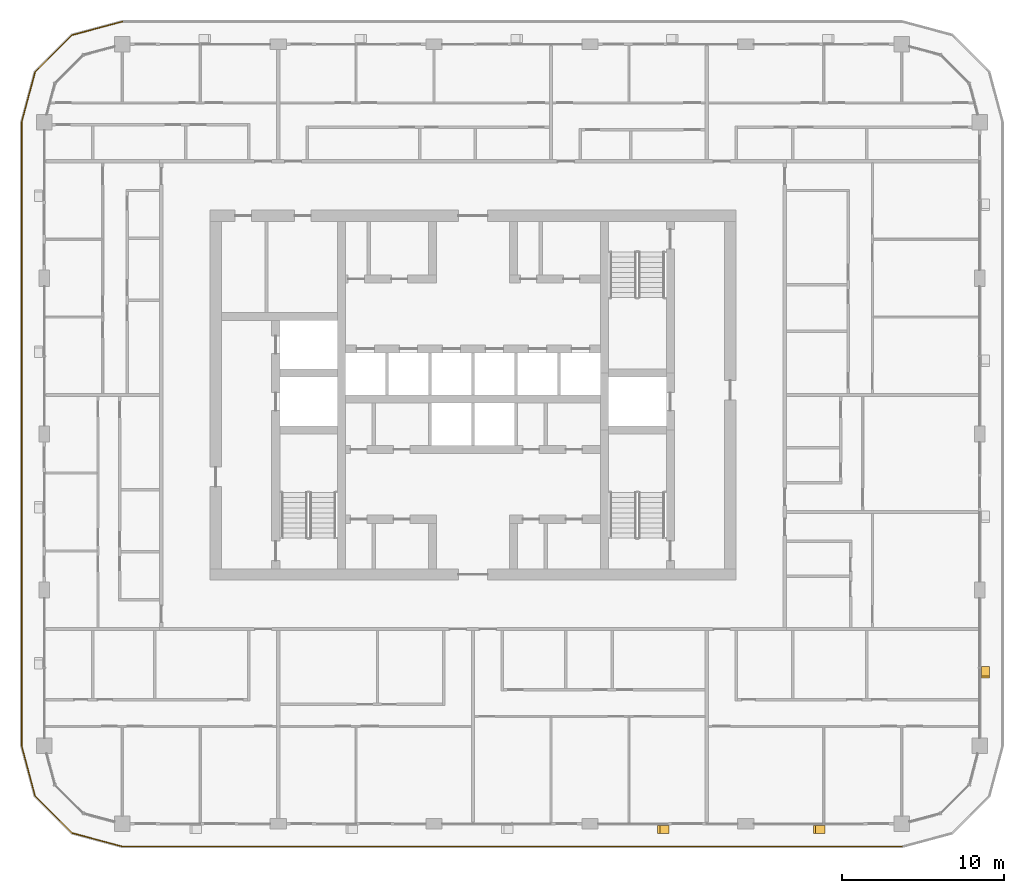
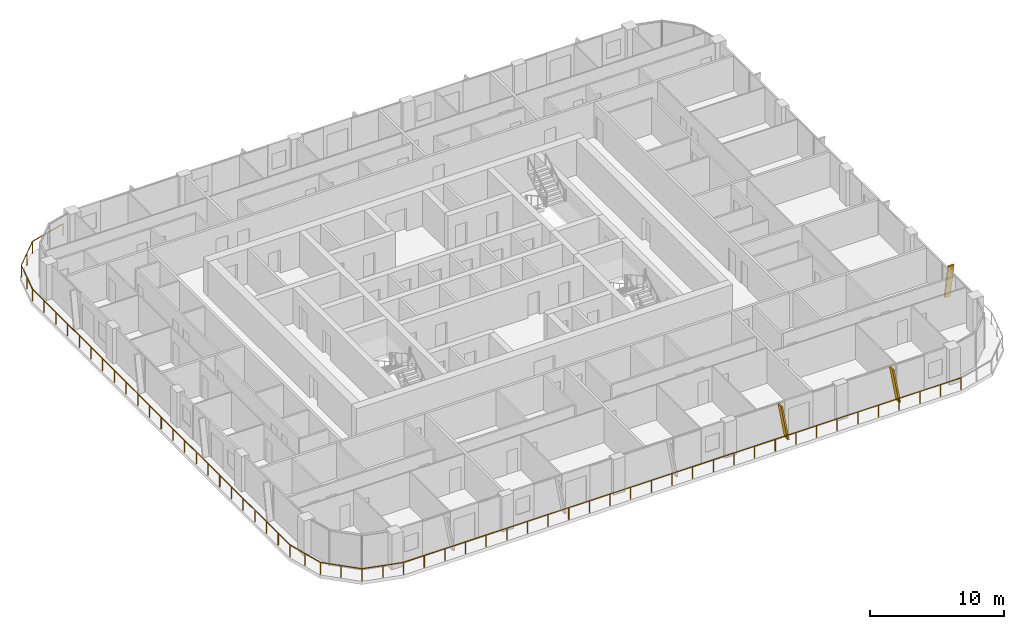
# One storey, part 19 of 22: 3 shading devices, 1 railing.
"""IFC4 building model written with IfcOpenShell, lengths in metres."""

import ifcopenshell
import ifcopenshell.guid

model = None  # the IFC model being written
_history = None  # IfcOwnerHistory: only IFC2X3 demands one
_inside = {}  # id of a spatial element -> (the spatial element, [elements in it])
_under = {}  # id of a project, library or spatial element -> (it, [spatial elements below it])
_declared = {}  # id of a project -> (the project, [libraries it declares])
_typed = {}  # id of a type object -> (the type object, [elements of that type])
_made_of = {}  # id of a material, layer set ... -> (it, [elements and type objects made of it])


def new_model(schema):
    """Start an empty IFC model of exactly this schema.

    Asked for "IFC4X3", IfcOpenShell would pick the latest addendum, in which some entities
    have other attributes; the version numbers below select the first issue.
    IFC2X3 requires an IfcOwnerHistory on every rooted entity: one is made here for all.
    """
    global model, _history
    if schema == "IFC4X3":
        model = ifcopenshell.file(schema_version=(4, 3, 0, 0))
    else:
        model = ifcopenshell.file(schema=schema)
    _inside.clear()
    _under.clear()
    _declared.clear()
    _typed.clear()
    _made_of.clear()
    _history = None
    if model.schema == "IFC2X3":
        org = make("IfcOrganization", Name="unknown")
        user = make(
            "IfcPersonAndOrganization",
            ThePerson=make("IfcPerson", FamilyName="unknown"),
            TheOrganization=org,
        )
        app = make(
            "IfcApplication",
            ApplicationDeveloper=org,
            Version="unknown",
            ApplicationFullName="unknown",
            ApplicationIdentifier="unknown",
        )
        _history = make(
            "IfcOwnerHistory",
            OwningUser=user,
            OwningApplication=app,
            ChangeAction="ADDED",
            CreationDate=0,
        )
    return model


def make(cls, **values):
    """One entity of the class cls with the attributes given. An attribute that is None is left unset."""
    return model.create_entity(
        cls, **{name: value for name, value in values.items() if value is not None}
    )


def rooted(cls, **values):
    """An entity with a GlobalId (a new one), such as an element, a storey or a relation."""
    return make(cls, GlobalId=ifcopenshell.guid.new(), OwnerHistory=_history, **values)


def si_unit(unit_type, name, prefix=None):
    """IfcSIUnit, for example si_unit("LENGTHUNIT", "METRE", prefix="MILLI")."""
    return make("IfcSIUnit", UnitType=unit_type, Prefix=prefix, Name=name)


def assignment(units):
    """IfcUnitAssignment: the units of a project."""
    return None if units is None else make("IfcUnitAssignment", Units=units)


def point(xyz):
    """IfcCartesianPoint."""
    return None if xyz is None else make("IfcCartesianPoint", Coordinates=xyz)


def direction(xyz):
    """IfcDirection."""
    return None if xyz is None else make("IfcDirection", DirectionRatios=xyz)


def frame(location, z_axis=None, x_axis=None):
    """IfcAxis2Placement3D, a coordinate frame: its origin and axes. An axis left out is left unset."""
    return make(
        "IfcAxis2Placement3D",
        Location=point(location),
        Axis=direction(z_axis),
        RefDirection=direction(x_axis),
    )


def frame_2d(location, x_axis=None):
    """IfcAxis2Placement2D, a coordinate frame in the plane: its origin and x axis."""
    return make(
        "IfcAxis2Placement2D", Location=point(location), RefDirection=direction(x_axis)
    )


def origin():
    """The frame at (0, 0, 0) with its axes left unset."""
    return frame((0.0, 0.0, 0.0))


def origin_2d():
    """The frame at (0, 0) in the plane with its x axis left unset."""
    return frame_2d((0.0, 0.0))


def place(relative_to, where):
    """IfcLocalPlacement: puts the frame where relative to a parent placement (None: the world)."""
    return make(
        "IfcLocalPlacement", PlacementRelTo=relative_to, RelativePlacement=where
    )


def context(
    kind, dimensions, precision=None, world=None, true_north=None, identifier=None
):
    """IfcGeometricRepresentationContext, for example the 3D "Model" context."""
    return make(
        "IfcGeometricRepresentationContext",
        ContextIdentifier=identifier,
        ContextType=kind,
        CoordinateSpaceDimension=dimensions,
        Precision=precision,
        WorldCoordinateSystem=world,
        TrueNorth=true_north,
    )


def subcontext(parent, identifier, kind, view, scale=None):
    """IfcGeometricRepresentationSubContext, for example "Body" below "Model"."""
    return make(
        "IfcGeometricRepresentationSubContext",
        ContextIdentifier=identifier,
        ContextType=kind,
        ParentContext=parent,
        TargetScale=scale,
        TargetView=view,
    )


def project(units=None, contexts=None):
    """IfcProject with its units and contexts."""
    return rooted(
        "IfcProject",
        Name="project",
        RepresentationContexts=contexts,
        UnitsInContext=assignment(units),
    )


def spatial(cls, under=None, at=None, **own):
    """A site, building, storey or space (cls), placed at a placement, below another one or the project."""
    s = rooted(cls, ObjectPlacement=at, **own)
    if under is not None:
        _under.setdefault(under.id(), (under, []))[1].append(s)
    return s


def polyline(points):
    """IfcPolyline through the points."""
    return make("IfcPolyline", Points=[point(p) for p in points])


def profile(cls, at=None, kind="AREA", **sizes):
    """A parametric profile (cls). Its sizes go by their IFC names, for example OverallWidth=200.0."""
    return make(cls, ProfileType=kind, Position=at, **sizes)


def circle(**sizes):
    """IfcCircleProfileDef."""
    return profile("IfcCircleProfileDef", **sizes)


def outline(outer, holes=None, kind="AREA"):
    """IfcArbitraryClosedProfileDef: a profile drawn as a closed curve; with holes, ...WithVoids."""
    if holes is None:
        return make("IfcArbitraryClosedProfileDef", ProfileType=kind, OuterCurve=outer)
    return make(
        "IfcArbitraryProfileDefWithVoids",
        ProfileType=kind,
        OuterCurve=outer,
        InnerCurves=holes,
    )


def extrude(swept, where, along, depth):
    """IfcExtrudedAreaSolid: the profile swept, set in the frame where, extruded along a direction by depth."""
    return make(
        "IfcExtrudedAreaSolid",
        SweptArea=swept,
        Position=where,
        ExtrudedDirection=direction(along),
        Depth=depth,
    )


def shape(context_of_items, identifier, shape_type, items):
    """IfcShapeRepresentation: the items that make up one representation, for example the "Body"."""
    return make(
        "IfcShapeRepresentation",
        ContextOfItems=context_of_items,
        RepresentationIdentifier=identifier,
        RepresentationType=shape_type,
        Items=items,
    )


def material(Name=None, Category=None):
    """IfcMaterial."""
    return make("IfcMaterial", Name=Name, Category=Category)


def made_of(thing, what):
    """Note that an element or type object is made of a material, layer set ...; save() writes the relation."""
    if what is not None:
        _made_of.setdefault(what.id(), (what, []))[1].append(thing)
    return thing


def type_object(cls, material=None, **own):
    """A type object (cls), such as IfcWallType, which elements share."""
    return made_of(rooted(cls, **own), material)


def element(
    cls,
    number,
    at=None,
    inside=None,
    cuts=None,
    type_object=None,
    material=None,
    context=None,
    identifier="Body",
    shape_type=None,
    held_by="IfcProductDefinitionShape",
    body=None,
    shapes=None,
    **own,
):
    """One element of the class cls, such as IfcWall. Its Tag is "e" and its number.

    at: its placement. inside: the storey or other place that contains it. cuts: it is an
    opening in that element (IfcRelVoidsElement). A single representation is given by context,
    identifier, shape_type and body (its items); several are given by shapes. held_by: the class
    of the entity that holds the representations. save() writes the other relations.
    """
    e = rooted(cls, Tag="e%d" % number, ObjectPlacement=at, **own)
    if body is not None:
        shapes = [shape(context, identifier, shape_type, body)]
    if shapes is not None:
        e.Representation = make(held_by, Representations=shapes)
    if inside is not None:
        _inside.setdefault(inside.id(), (inside, []))[1].append(e)
    if cuts is not None:
        rooted(
            "IfcRelVoidsElement", RelatingBuildingElement=cuts, RelatedOpeningElement=e
        )
    if type_object is not None:
        _typed.setdefault(type_object.id(), (type_object, []))[1].append(e)
    return made_of(e, material)


def aggregate(whole, parts):
    """IfcRelAggregates: a whole, such as a stair, and the parts it consists of."""
    return rooted("IfcRelAggregates", RelatingObject=whole, RelatedObjects=parts)


def save(model, path):
    """Write the relations noted so far, then the file.

    IfcRelAggregates (storeys below a building ...), IfcRelContainedInSpatialStructure (elements
    in a storey), IfcRelDefinesByType, IfcRelAssociatesMaterial and IfcRelDeclares: one each for
    every whole, place, type object, material and project.
    """
    for whole, parts in _under.values():
        aggregate(whole, parts)
    for where, things in _inside.values():
        rooted(
            "IfcRelContainedInSpatialStructure",
            RelatedElements=things,
            RelatingStructure=where,
        )
    for kind, things in _typed.values():
        rooted("IfcRelDefinesByType", RelatedObjects=things, RelatingType=kind)
    for what, things in _made_of.values():
        rooted("IfcRelAssociatesMaterial", RelatedObjects=things, RelatingMaterial=what)
    for by, libraries in _declared.values():
        rooted("IfcRelDeclares", RelatingContext=by, RelatedDefinitions=libraries)
    model.write(path)


model = new_model("IFC4")

# Units and contexts
model_context = context("Model", 3, precision=1e-05, world=origin(), true_north=direction((0.0, 1.0)))
body_context = subcontext(model_context, "Body", "Model", "MODEL_VIEW")
ifc_project = project(units=[si_unit("LENGTHUNIT", "METRE"), si_unit("AREAUNIT", "SQUARE_METRE"), si_unit("VOLUMEUNIT", "CUBIC_METRE"), si_unit("PLANEANGLEUNIT", "RADIAN"), si_unit("MASSUNIT", "GRAM", prefix="KILO")], contexts=[model_context])

# Site, building, storey
site_placement = place(None, origin())
site = spatial("IfcSite", under=ifc_project, at=site_placement, CompositionType="ELEMENT")
building_placement = place(site_placement, origin())
building = spatial("IfcBuilding", under=site, at=building_placement, Name="Madar Terraces", CompositionType="ELEMENT")
storey_placement = place(building_placement, frame((0.0, 0.0, 189.39990234375)))
storey = spatial("IfcBuildingStorey", under=building, at=storey_placement, Name="L49", CompositionType="ELEMENT", Elevation=189.39990234375)

# Railing
ifc_material_1 = material(Name="Glass, safety glazing, with stainless steel posts", Category="steel")
railing_type = type_object("IfcRailingType", Name="Balcony glass guard 1100", PredefinedType="GUARDRAIL", material=ifc_material_1)
railing_placement = place(storey_placement, frame((9.60009765625, 49.39990234375, 0.0)))
element("IfcRailing", 1, at=railing_placement, inside=storey, type_object=railing_type, Name="Balcony guard", PredefinedType="GUARDRAIL", context=body_context, shape_type="SweptSolid", body=[
    extrude(circle(Radius=0.02392578125, at=origin_2d()), frame((0.0, 0.0, 1.076171875), z_axis=(-0.9659337912, -0.258789317819, 0.0), x_axis=(0.258789317819, -0.9659337912, 0.0)), (0.0, 0.0, 1.0), 3.20947265625),
    extrude(circle(Radius=0.02392578125, at=origin_2d()), frame((-3.10009765625, -0.83056640625, 1.076171875), z_axis=(-0.707106781187, -0.707106781187, 0.0), x_axis=(0.707106781187, -0.707106781187, 0.0)), (0.0, 0.0, 1.0), 3.209228515625),
    extrude(circle(Radius=0.02392578125, at=origin_2d()), frame((-5.369384765625, -3.099853515625, 1.076171875), z_axis=(-0.258860290944, -0.965914773555, 0.0), x_axis=(0.965914773555, -0.258860290944, 0.0)), (0.0, 0.0, 1.0), 3.20947265625),
    extrude(circle(Radius=0.02392578125, at=origin_2d()), frame((-6.2001953125, -6.199951171875, 1.076171875), z_axis=(0.0, -1.0, 0.0), x_axis=(1.0, 0.0, 0.0)), (0.0, 0.0, 1.0), 38.39990234375),
    extrude(circle(Radius=0.02392578125, at=origin_2d()), frame((-6.2001953125, -44.599853515625, 1.076171875), z_axis=(0.258860290944, -0.965914773555, 0.0), x_axis=(0.965914773555, 0.258860290944, 0.0)), (0.0, 0.0, 1.0), 3.20947265625),
    extrude(circle(Radius=0.02392578125, at=origin_2d()), frame((-5.369384765625, -47.699951171875, 1.076171875), z_axis=(0.707106781187, -0.707106781187, 0.0), x_axis=(0.707106781187, 0.707106781187, 0.0)), (0.0, 0.0, 1.0), 3.209228515625),
    extrude(circle(Radius=0.02392578125, at=origin_2d()), frame((-3.10009765625, -49.96923828125, 1.076171875), z_axis=(0.9659337912, -0.258789317819, 0.0), x_axis=(0.258789317819, 0.9659337912, 0.0)), (0.0, 0.0, 1.0), 3.20947265625),
    extrude(circle(Radius=0.02392578125, at=origin_2d()), frame((0.0, -50.7998046875, 1.076171875), z_axis=(1.0, 0.0, 0.0), x_axis=(0.0, 1.0, 0.0)), (0.0, 0.0, 1.0), 48.0),
    extrude(circle(Radius=0.02099609375, at=origin_2d()), origin(), (0.0, 0.0, 1.0), 1.052001953125),
    extrude(circle(Radius=0.02099609375, at=origin_2d()), frame((-1.550048828125, -0.415283203125, 0.0)), (0.0, 0.0, 1.0), 1.052001953125),
    extrude(circle(Radius=0.02099609375, at=origin_2d()), frame((-3.10009765625, -0.83056640625, 0.0)), (0.0, 0.0, 1.0), 1.052001953125),
    extrude(circle(Radius=0.02099609375, at=origin_2d()), frame((-4.23486328125, -1.96533203125, 0.0)), (0.0, 0.0, 1.0), 1.052001953125),
    extrude(circle(Radius=0.02099609375, at=origin_2d()), frame((-5.369384765625, -3.099853515625, 0.0)), (0.0, 0.0, 1.0), 1.052001953125),
    extrude(circle(Radius=0.02099609375, at=origin_2d()), frame((-5.78466796875, -4.64990234375, 0.0)), (0.0, 0.0, 1.0), 1.052001953125),
    extrude(circle(Radius=0.02099609375, at=origin_2d()), frame((-6.2001953125, -6.199951171875, 0.0)), (0.0, 0.0, 1.0), 1.052001953125),
    extrude(circle(Radius=0.02099609375, at=origin_2d()), frame((-6.2001953125, -7.9453125, 0.0)), (0.0, 0.0, 1.0), 1.052001953125),
    extrude(circle(Radius=0.02099609375, at=origin_2d()), frame((-6.2001953125, -9.69091796875, 0.0)), (0.0, 0.0, 1.0), 1.052001953125),
    extrude(circle(Radius=0.02099609375, at=origin_2d()), frame((-6.2001953125, -11.436279296875, 0.0)), (0.0, 0.0, 1.0), 1.052001953125),
    extrude(circle(Radius=0.02099609375, at=origin_2d()), frame((-6.2001953125, -13.181640625, 0.0)), (0.0, 0.0, 1.0), 1.052001953125),
    extrude(circle(Radius=0.02099609375, at=origin_2d()), frame((-6.2001953125, -14.92724609375, 0.0)), (0.0, 0.0, 1.0), 1.052001953125),
    extrude(circle(Radius=0.02099609375, at=origin_2d()), frame((-6.2001953125, -16.672607421875, 0.0)), (0.0, 0.0, 1.0), 1.052001953125),
    extrude(circle(Radius=0.02099609375, at=origin_2d()), frame((-6.2001953125, -18.418212890625, 0.0)), (0.0, 0.0, 1.0), 1.052001953125),
    extrude(circle(Radius=0.02099609375, at=origin_2d()), frame((-6.2001953125, -20.16357421875, 0.0)), (0.0, 0.0, 1.0), 1.052001953125),
    extrude(circle(Radius=0.02099609375, at=origin_2d()), frame((-6.2001953125, -21.908935546875, 0.0)), (0.0, 0.0, 1.0), 1.052001953125),
    extrude(circle(Radius=0.02099609375, at=origin_2d()), frame((-6.2001953125, -23.654541015625, 0.0)), (0.0, 0.0, 1.0), 1.052001953125),
    extrude(circle(Radius=0.02099609375, at=origin_2d()), frame((-6.2001953125, -25.39990234375, 0.0)), (0.0, 0.0, 1.0), 1.052001953125),
    extrude(circle(Radius=0.02099609375, at=origin_2d()), frame((-6.2001953125, -27.145263671875, 0.0)), (0.0, 0.0, 1.0), 1.052001953125),
    extrude(circle(Radius=0.02099609375, at=origin_2d()), frame((-6.2001953125, -28.890869140625, 0.0)), (0.0, 0.0, 1.0), 1.052001953125),
    extrude(circle(Radius=0.02099609375, at=origin_2d()), frame((-6.2001953125, -30.63623046875, 0.0)), (0.0, 0.0, 1.0), 1.052001953125),
    extrude(circle(Radius=0.02099609375, at=origin_2d()), frame((-6.2001953125, -32.381591796875, 0.0)), (0.0, 0.0, 1.0), 1.052001953125),
    extrude(circle(Radius=0.02099609375, at=origin_2d()), frame((-6.2001953125, -34.127197265625, 0.0)), (0.0, 0.0, 1.0), 1.052001953125),
    extrude(circle(Radius=0.02099609375, at=origin_2d()), frame((-6.2001953125, -35.87255859375, 0.0)), (0.0, 0.0, 1.0), 1.052001953125),
    extrude(circle(Radius=0.02099609375, at=origin_2d()), frame((-6.2001953125, -37.6181640625, 0.0)), (0.0, 0.0, 1.0), 1.052001953125),
    extrude(circle(Radius=0.02099609375, at=origin_2d()), frame((-6.2001953125, -39.363525390625, 0.0)), (0.0, 0.0, 1.0), 1.052001953125),
    extrude(circle(Radius=0.02099609375, at=origin_2d()), frame((-6.2001953125, -41.10888671875, 0.0)), (0.0, 0.0, 1.0), 1.052001953125),
    extrude(circle(Radius=0.02099609375, at=origin_2d()), frame((-6.2001953125, -42.8544921875, 0.0)), (0.0, 0.0, 1.0), 1.052001953125),
    extrude(circle(Radius=0.02099609375, at=origin_2d()), frame((-6.2001953125, -44.599853515625, 0.0)), (0.0, 0.0, 1.0), 1.052001953125),
    extrude(circle(Radius=0.02099609375, at=origin_2d()), frame((-5.78466796875, -46.14990234375, 0.0)), (0.0, 0.0, 1.0), 1.052001953125),
    extrude(circle(Radius=0.02099609375, at=origin_2d()), frame((-5.369384765625, -47.699951171875, 0.0)), (0.0, 0.0, 1.0), 1.052001953125),
    extrude(circle(Radius=0.02099609375, at=origin_2d()), frame((-4.23486328125, -48.83447265625, 0.0)), (0.0, 0.0, 1.0), 1.052001953125),
    extrude(circle(Radius=0.02099609375, at=origin_2d()), frame((-3.10009765625, -49.96923828125, 0.0)), (0.0, 0.0, 1.0), 1.052001953125),
    extrude(circle(Radius=0.02099609375, at=origin_2d()), frame((-1.550048828125, -50.384521484375, 0.0)), (0.0, 0.0, 1.0), 1.052001953125),
    extrude(circle(Radius=0.02099609375, at=origin_2d()), frame((0.0, -50.7998046875, 0.0)), (0.0, 0.0, 1.0), 1.052001953125),
    extrude(circle(Radius=0.02099609375, at=origin_2d()), frame((1.77783203125, -50.7998046875, 0.0)), (0.0, 0.0, 1.0), 1.052001953125),
    extrude(circle(Radius=0.02099609375, at=origin_2d()), frame((3.5556640625, -50.7998046875, 0.0)), (0.0, 0.0, 1.0), 1.052001953125),
    extrude(circle(Radius=0.02099609375, at=origin_2d()), frame((5.333251953125, -50.7998046875, 0.0)), (0.0, 0.0, 1.0), 1.052001953125),
    extrude(circle(Radius=0.02099609375, at=origin_2d()), frame((7.111083984375, -50.7998046875, 0.0)), (0.0, 0.0, 1.0), 1.052001953125),
    extrude(circle(Radius=0.02099609375, at=origin_2d()), frame((8.888916015625, -50.7998046875, 0.0)), (0.0, 0.0, 1.0), 1.052001953125),
    extrude(circle(Radius=0.02099609375, at=origin_2d()), frame((10.666748046875, -50.7998046875, 0.0)), (0.0, 0.0, 1.0), 1.052001953125),
    extrude(circle(Radius=0.02099609375, at=origin_2d()), frame((12.4443359375, -50.7998046875, 0.0)), (0.0, 0.0, 1.0), 1.052001953125),
    extrude(circle(Radius=0.02099609375, at=origin_2d()), frame((14.22216796875, -50.7998046875, 0.0)), (0.0, 0.0, 1.0), 1.052001953125),
    extrude(circle(Radius=0.02099609375, at=origin_2d()), frame((16.0, -50.7998046875, 0.0)), (0.0, 0.0, 1.0), 1.052001953125),
    extrude(circle(Radius=0.02099609375, at=origin_2d()), frame((17.77783203125, -50.7998046875, 0.0)), (0.0, 0.0, 1.0), 1.052001953125),
    extrude(circle(Radius=0.02099609375, at=origin_2d()), frame((19.5556640625, -50.7998046875, 0.0)), (0.0, 0.0, 1.0), 1.052001953125),
    extrude(circle(Radius=0.02099609375, at=origin_2d()), frame((21.333251953125, -50.7998046875, 0.0)), (0.0, 0.0, 1.0), 1.052001953125),
    extrude(circle(Radius=0.02099609375, at=origin_2d()), frame((23.111083984375, -50.7998046875, 0.0)), (0.0, 0.0, 1.0), 1.052001953125),
    extrude(circle(Radius=0.02099609375, at=origin_2d()), frame((24.888916015625, -50.7998046875, 0.0)), (0.0, 0.0, 1.0), 1.052001953125),
    extrude(circle(Radius=0.02099609375, at=origin_2d()), frame((26.666748046875, -50.7998046875, 0.0)), (0.0, 0.0, 1.0), 1.052001953125),
    extrude(circle(Radius=0.02099609375, at=origin_2d()), frame((28.4443359375, -50.7998046875, 0.0)), (0.0, 0.0, 1.0), 1.052001953125),
    extrude(circle(Radius=0.02099609375, at=origin_2d()), frame((30.22216796875, -50.7998046875, 0.0)), (0.0, 0.0, 1.0), 1.052001953125),
    extrude(circle(Radius=0.02099609375, at=origin_2d()), frame((32.0, -50.7998046875, 0.0)), (0.0, 0.0, 1.0), 1.052001953125),
    extrude(circle(Radius=0.02099609375, at=origin_2d()), frame((33.77783203125, -50.7998046875, 0.0)), (0.0, 0.0, 1.0), 1.052001953125),
    extrude(circle(Radius=0.02099609375, at=origin_2d()), frame((35.5556640625, -50.7998046875, 0.0)), (0.0, 0.0, 1.0), 1.052001953125),
    extrude(circle(Radius=0.02099609375, at=origin_2d()), frame((37.333251953125, -50.7998046875, 0.0)), (0.0, 0.0, 1.0), 1.052001953125),
    extrude(circle(Radius=0.02099609375, at=origin_2d()), frame((39.111083984375, -50.7998046875, 0.0)), (0.0, 0.0, 1.0), 1.052001953125),
    extrude(circle(Radius=0.02099609375, at=origin_2d()), frame((40.888916015625, -50.7998046875, 0.0)), (0.0, 0.0, 1.0), 1.052001953125),
    extrude(circle(Radius=0.02099609375, at=origin_2d()), frame((42.666748046875, -50.7998046875, 0.0)), (0.0, 0.0, 1.0), 1.052001953125),
    extrude(circle(Radius=0.02099609375, at=origin_2d()), frame((44.4443359375, -50.7998046875, 0.0)), (0.0, 0.0, 1.0), 1.052001953125),
    extrude(circle(Radius=0.02099609375, at=origin_2d()), frame((46.22216796875, -50.7998046875, 0.0)), (0.0, 0.0, 1.0), 1.052001953125),
    extrude(circle(Radius=0.02099609375, at=origin_2d()), frame((48.0, -50.7998046875, 0.0)), (0.0, 0.0, 1.0), 1.052001953125),
])

# Shading devices
ifc_material_2 = material(Name="Aluminium, black anodised", Category="aluminium")
shading_device_type = type_object("IfcShadingDeviceType", Name="Facade fin blade 140 x 500", PredefinedType="USERDEFINED", material=ifc_material_2)
for number, where, z_axis, x_axis, name in (
    (2, (43.1298828125, -0.35009765625, 0.0), (0.0, 0.0, 1.0), (1.0, 0.0, 0.0), "FIN L49 S4"),
    (3, (52.72998046875, -0.35009765625, 0.0), (0.0, 0.0, 1.0), (1.0, 0.0, 0.0), "FIN L49 S5"),
):
    element("IfcShadingDevice", number, at=place(storey_placement, frame(where, z_axis=z_axis, x_axis=x_axis)), inside=storey, type_object=shading_device_type, Name=name, ObjectType="FIN", PredefinedType="USERDEFINED", context=body_context, shape_type="SweptSolid", body=[
        extrude(outline(polyline([(0.0, 0.0), (0.14013671875, 0.0), (-0.42431640625, 3.2001953125), (-0.564208984375, 3.2001953125), (0.0, 0.0)])), frame((0.0, 0.25, 0.0), z_axis=(0.0, -1.0, 0.0), x_axis=(1.0, 0.0, 0.0)), (0.0, 0.0, 1.0), 0.5),
    ])
shading_device_placement = place(storey_placement, frame((62.75, 9.530029296875, 0.0), z_axis=(0.0, 0.0, 1.0), x_axis=(0.0, 1.0, 0.0)))
element("IfcShadingDevice", 4, at=shading_device_placement, inside=storey, type_object=shading_device_type, Name="FIN L49 E1", ObjectType="FIN", PredefinedType="USERDEFINED", context=body_context, shape_type="SweptSolid", body=[
    extrude(outline(polyline([(0.0, 0.0), (0.139892578125, 0.0), (-0.42431640625, 3.2001953125), (-0.564208984375, 3.2001953125), (0.0, 0.0)])), frame((0.0, 0.25, 0.0), z_axis=(0.0, -1.0, 0.0), x_axis=(1.0, 0.0, 0.0)), (0.0, 0.0, 1.0), 0.5),
])

save(model, "model.ifc")
